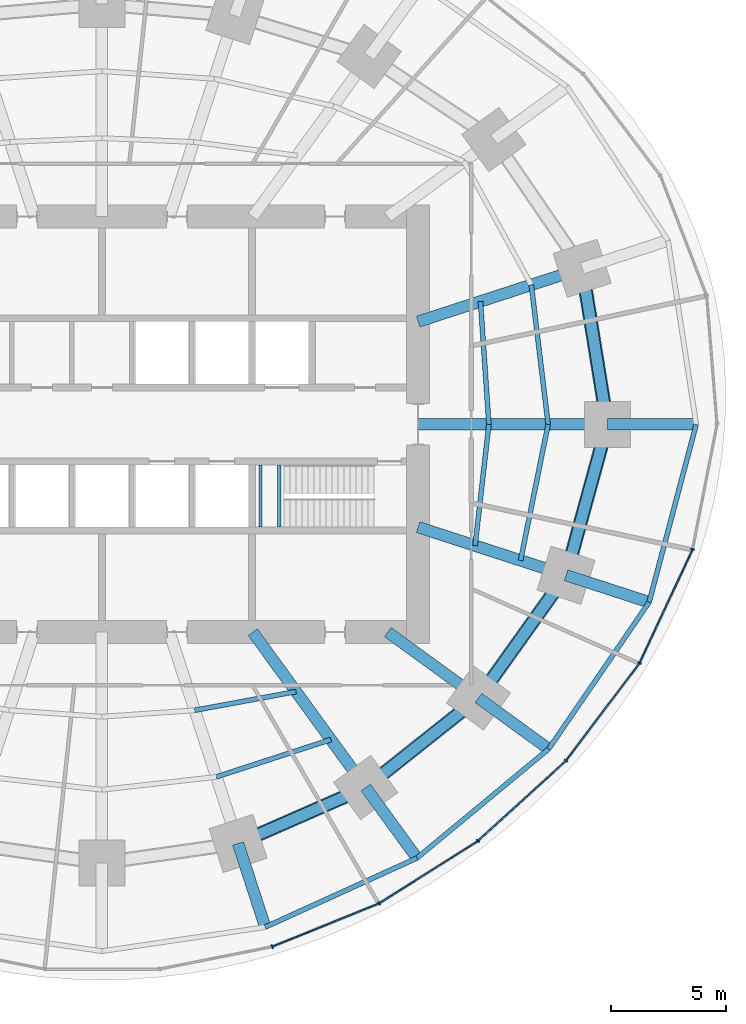
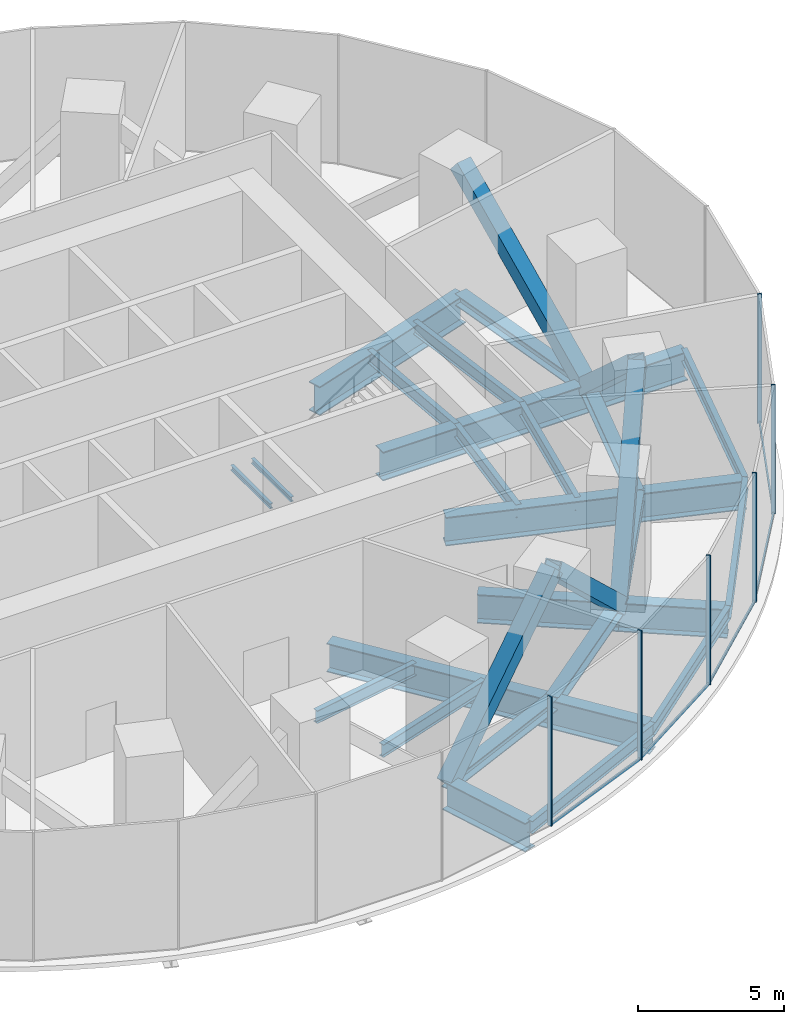
# One storey, part 5 of 13: 22 beams, 21 members, 2 elements without a shape of their own.
"""IFC4 building model written with IfcOpenShell, lengths in metres."""

from ifc_helpers import new_model, si_unit, direction, frame, origin, origin_2d, place, context, subcontext, project, spatial, rectangle, hollow_rectangle, i_section, extrude, material, material_profile, profile_set, type_object, element, aggregate, save


model = new_model("IFC4")

# Units and contexts
model_context = context("Model", 3, precision=1e-05, world=origin(), true_north=direction((0.0, 1.0)))
body_context = subcontext(model_context, "Body", "Model", "MODEL_VIEW")
ifc_project = project(units=[si_unit("LENGTHUNIT", "METRE"), si_unit("AREAUNIT", "SQUARE_METRE"), si_unit("VOLUMEUNIT", "CUBIC_METRE"), si_unit("PLANEANGLEUNIT", "RADIAN"), si_unit("MASSUNIT", "GRAM", prefix="KILO")], contexts=[model_context])

# Site, building, storey
site_placement = place(None, origin())
site = spatial("IfcSite", under=ifc_project, at=site_placement, CompositionType="ELEMENT")
building_placement = place(site_placement, origin())
building = spatial("IfcBuilding", under=site, at=building_placement, Name="Marramba Exchange Tower", CompositionType="ELEMENT")
storey_placement = place(building_placement, frame((0.0, 0.0, 86.800048828125)))
storey = spatial("IfcBuildingStorey", under=building, at=storey_placement, Name="L20", CompositionType="ELEMENT", Elevation=86.800048828125)

# Members
ifc_material_1 = material(Name="Steel AS/NZS 3679.2 grade 300", Category="steel")
ifc_material_profile_1 = material_profile(ifc_material_1, i_section(OverallWidth=0.5, OverallDepth=0.47998046875, WebThickness=0.0400390625, FlangeThickness=0.0400390625, at=origin_2d()), Name="500WC440")
ifc_profile_set_1 = profile_set([ifc_material_profile_1], Name="Steel AS/NZS 3679.2 grade 300")
member_type_1 = type_object("IfcMemberType", Name="Belt truss chord 500WC440", PredefinedType="CHORD", material=ifc_profile_set_1)
member_1_placement = place(storey_placement, frame((21.89990234375, 0.0, -0.43994140625), z_axis=(-0.159384865399, 0.987216523708, 0.0), x_axis=(-0.987216523708, -0.159384865399, 0.0)))
element("IfcMember", 1, at=member_1_placement, inside=storey, type_object=member_type_1, Name="Belt chord L20 TC01-TC02", PredefinedType="CHORD", context=body_context, shape_type="SweptSolid", body=[
    extrude(i_section(OverallWidth=0.5, OverallDepth=0.47998046875, WebThickness=0.0400390625, FlangeThickness=0.0400390625, at=origin_2d()), origin(), (0.0, 0.0, 1.0), 6.8486328125),
])
member_2_placement = place(storey_placement, frame((5.899658203125, -18.156982421875, -0.43994140625), z_axis=(0.915876892158, 0.4014592363, 0.0), x_axis=(-0.4014592363, 0.915876892158, 0.0)))
element("IfcMember", 2, at=member_2_placement, inside=storey, type_object=member_type_1, Name="Belt chord L20 TC17-TC18", PredefinedType="CHORD", context=body_context, shape_type="SweptSolid", body=[
    extrude(i_section(OverallWidth=0.5, OverallDepth=0.47998046875, WebThickness=0.0400390625, FlangeThickness=0.0400390625, at=origin_2d()), origin(), (0.0, 0.0, 1.0), 6.038818359375),
])
member_3_placement = place(storey_placement, frame((11.430419921875, -15.732666015625, -0.43994140625), z_axis=(0.783139438128, 0.621846138887, 0.0), x_axis=(-0.621846138887, 0.783139438128, 0.0)))
element("IfcMember", 3, at=member_3_placement, inside=storey, type_object=member_type_1, Name="Belt chord L20 TC18-TC19", PredefinedType="CHORD", context=body_context, shape_type="SweptSolid", body=[
    extrude(i_section(OverallWidth=0.5, OverallDepth=0.47998046875, WebThickness=0.0400390625, FlangeThickness=0.0400390625, at=origin_2d()), origin(), (0.0, 0.0, 1.0), 6.23779296875),
])
member_4_placement = place(storey_placement, frame((16.3154296875, -11.853759765625, -0.43994140625), z_axis=(0.580637181111, 0.814162430914, 0.0), x_axis=(-0.814162430914, 0.580637181111, 0.0)))
element("IfcMember", 4, at=member_4_placement, inside=storey, type_object=member_type_1, Name="Belt chord L20 TC19-TC20", PredefinedType="CHORD", context=body_context, shape_type="SweptSolid", body=[
    extrude(i_section(OverallWidth=0.5, OverallDepth=0.47998046875, WebThickness=0.0400390625, FlangeThickness=0.0400390625, at=origin_2d()), origin(), (0.0, 0.0, 1.0), 6.5341796875),
])
member_5_placement = place(storey_placement, frame((20.109375, -6.533935546875, -0.43994140625), z_axis=(0.264291166956, 0.964442937176, 0.0), x_axis=(-0.964442937176, 0.264291166956, 0.0)))
element("IfcMember", 5, at=member_5_placement, inside=storey, type_object=member_type_1, Name="Belt chord L20 TC20-TC01", PredefinedType="CHORD", context=body_context, shape_type="SweptSolid", body=[
    extrude(i_section(OverallWidth=0.5, OverallDepth=0.47998046875, WebThickness=0.0400390625, FlangeThickness=0.0400390625, at=origin_2d()), origin(), (0.0, 0.0, 1.0), 6.77490234375),
])
ifc_material_2 = material(Name="Steel AS/NZS 3678 grade 350", Category="steel")
ifc_material_profile_2 = material_profile(ifc_material_2, hollow_rectangle(XDim=0.60009765625, YDim=0.60009765625, WallThickness=0.0400390625, at=origin_2d()), Name="600x600x40BOX")
ifc_profile_set_2 = profile_set([ifc_material_profile_2], Name="Steel AS/NZS 3678 grade 350")
member_type_2 = type_object("IfcMemberType", Name="Belt truss diagonal 600x600x40BOX", PredefinedType="BRACE", material=ifc_profile_set_2)
member_6_placement = place(storey_placement, frame((21.89990234375, 0.0, -0.43994140625), z_axis=(-0.12338791563, 0.764254427988, 0.633001257168), x_axis=(-0.987216523708, -0.159384865399, 0.0)))
element("IfcMember", 6, at=member_6_placement, inside=storey, type_object=member_type_2, Name="Belt truss BT20 diagonal 01", PredefinedType="BRACE", context=body_context, shape_type="SweptSolid", body=[
    extrude(hollow_rectangle(XDim=0.60009765625, YDim=0.60009765625, WallThickness=0.0400390625, at=origin_2d()), origin(), (0.0, 0.0, 1.0), 8.846435546875),
])
member_7_placement = place(storey_placement, frame((5.899658203125, -18.156982421875, -0.43994140625), z_axis=(0.67156810861, 0.294370588792, 0.679957522168), x_axis=(-0.4014592363, 0.915876892158, 0.0)))
element("IfcMember", 7, at=member_7_placement, inside=storey, type_object=member_type_2, Name="Belt truss BT20 diagonal 17", PredefinedType="BRACE", context=body_context, shape_type="SweptSolid", body=[
    extrude(hollow_rectangle(XDim=0.60009765625, YDim=0.60009765625, WallThickness=0.0400390625, at=origin_2d()), origin(), (0.0, 0.0, 1.0), 8.235595703125),
])
member_8_placement = place(storey_placement, frame((11.430419921875, -15.732666015625, 5.159912109375), z_axis=(0.582757533009, 0.462734353763, -0.668034861043), x_axis=(-0.621846138887, 0.783139438128, 0.0)))
element("IfcMember", 8, at=member_8_placement, inside=storey, type_object=member_type_2, Name="Belt truss BT20 diagonal 18", PredefinedType="BRACE", context=body_context, shape_type="SweptSolid", body=[
    extrude(hollow_rectangle(XDim=0.60009765625, YDim=0.60009765625, WallThickness=0.0400390625, at=origin_2d()), origin(), (0.0, 0.0, 1.0), 8.382568359375),
])
member_9_placement = place(storey_placement, frame((16.3154296875, -11.853759765625, -0.43994140625), z_axis=(0.440879597365, 0.618196037746, 0.650737150885), x_axis=(-0.814162430914, 0.580637181111, 0.0)))
element("IfcMember", 9, at=member_9_placement, inside=storey, type_object=member_type_2, Name="Belt truss BT20 diagonal 19", PredefinedType="BRACE", context=body_context, shape_type="SweptSolid", body=[
    extrude(hollow_rectangle(XDim=0.60009765625, YDim=0.60009765625, WallThickness=0.0400390625, at=origin_2d()), origin(), (0.0, 0.0, 1.0), 8.60546875),
])
member_10_placement = place(storey_placement, frame((20.109375, -6.533935546875, 5.159912109375), z_axis=(0.203710300646, 0.743373162828, -0.637101604297), x_axis=(-0.964442937176, 0.264291166956, 0.0)))
element("IfcMember", 10, at=member_10_placement, inside=storey, type_object=member_type_2, Name="Belt truss BT20 diagonal 20", PredefinedType="BRACE", context=body_context, shape_type="SweptSolid", body=[
    extrude(hollow_rectangle(XDim=0.60009765625, YDim=0.60009765625, WallThickness=0.0400390625, at=origin_2d()), origin(), (0.0, 0.0, 1.0), 8.78955078125),
])

# Beams
ifc_material_profile_3 = material_profile(ifc_material_1, i_section(OverallWidth=0.5, OverallDepth=1.199951171875, WebThickness=0.01611328125, FlangeThickness=0.0400390625, at=origin_2d()), Name="1200WB455")
ifc_profile_set_3 = profile_set([ifc_material_profile_3], Name="Steel AS/NZS 3679.2 grade 300")
beam_type_1 = type_object("IfcBeamType", Name="Cantilever girder 1200WB455", PredefinedType="BEAM", material=ifc_profile_set_3)
beam_1_placement = place(storey_placement, frame((21.89990234375, 0.0, -0.800048828125), z_axis=(1.0, 0.0, 0.0), x_axis=(0.0, 1.0, 0.0)))
element("IfcBeam", 11, at=beam_1_placement, inside=storey, type_object=beam_type_1, Name="Cantilever girder L20 TC01", PredefinedType="BEAM", context=body_context, shape_type="SweptSolid", body=[
    extrude(i_section(OverallWidth=0.5, OverallDepth=1.199951171875, WebThickness=0.01611328125, FlangeThickness=0.0400390625, at=origin_2d()), origin(), (0.0, 0.0, 1.0), 3.85009765625),
])
beam_2_placement = place(storey_placement, frame((5.899658203125, -18.156982421875, -0.800048828125), z_axis=(0.309009272901, -0.951059025119, 0.0), x_axis=(0.951059025119, 0.309009272901, 0.0)))
element("IfcBeam", 12, at=beam_2_placement, inside=storey, type_object=beam_type_1, Name="Cantilever girder L20 TC17", PredefinedType="BEAM", context=body_context, shape_type="SweptSolid", body=[
    extrude(i_section(OverallWidth=0.5, OverallDepth=1.199951171875, WebThickness=0.01611328125, FlangeThickness=0.0400390625, at=origin_2d()), origin(), (0.0, 0.0, 1.0), 3.809814453125),
])
beam_3_placement = place(storey_placement, frame((11.430419921875, -15.732666015625, -0.800048828125), z_axis=(0.587787232741, -0.809015555491, 0.0), x_axis=(0.809015555491, 0.587787232741, 0.0)))
element("IfcBeam", 13, at=beam_3_placement, inside=storey, type_object=beam_type_1, Name="Cantilever girder L20 TC18", PredefinedType="BEAM", context=body_context, shape_type="SweptSolid", body=[
    extrude(i_section(OverallWidth=0.5, OverallDepth=1.199951171875, WebThickness=0.01611328125, FlangeThickness=0.0400390625, at=origin_2d()), origin(), (0.0, 0.0, 1.0), 3.7763671875),
])
beam_4_placement = place(storey_placement, frame((16.3154296875, -11.853759765625, -0.800048828125), z_axis=(0.809008346081, -0.587797155463, 0.0), x_axis=(0.587797155463, 0.809008346081, 0.0)))
element("IfcBeam", 14, at=beam_4_placement, inside=storey, type_object=beam_type_1, Name="Cantilever girder L20 TC19", PredefinedType="BEAM", context=body_context, shape_type="SweptSolid", body=[
    extrude(i_section(OverallWidth=0.5, OverallDepth=1.199951171875, WebThickness=0.01611328125, FlangeThickness=0.0400390625, at=origin_2d()), origin(), (0.0, 0.0, 1.0), 3.76025390625),
])
beam_5_placement = place(storey_placement, frame((20.109375, -6.533935546875, -0.800048828125), z_axis=(0.951048759501, -0.309040866314, 0.0), x_axis=(0.309040866314, 0.951048759501, 0.0)))
element("IfcBeam", 15, at=beam_5_placement, inside=storey, type_object=beam_type_1, Name="Cantilever girder L20 TC20", PredefinedType="BEAM", context=body_context, shape_type="SweptSolid", body=[
    extrude(i_section(OverallWidth=0.5, OverallDepth=1.199951171875, WebThickness=0.01611328125, FlangeThickness=0.0400390625, at=origin_2d()), origin(), (0.0, 0.0, 1.0), 3.78564453125),
])
ifc_material_3 = material(Name="Steel AS/NZS 3679.1 grade 300", Category="steel")
ifc_material_profile_4 = material_profile(ifc_material_3, i_section(OverallWidth=0.208984375, OverallDepth=0.532958984375, WebThickness=0.01025390625, FlangeThickness=0.015625, FilletRadius=0.013916015625, at=origin_2d()), Name="530UB92.4")
ifc_profile_set_4 = profile_set([ifc_material_profile_4], Name="Steel AS/NZS 3679.1 grade 300")
beam_type_2 = type_object("IfcBeamType", Name="Floor joist 530UB92.4", PredefinedType="JOIST", material=ifc_profile_set_4)
beam_6_placement = place(storey_placement, frame((16.7666015625, 0.0, -0.466552734375), z_axis=(-0.068096259546, 0.99767875563, 0.0), x_axis=(-0.99767875563, -0.068096259546, 0.0)))
element("IfcBeam", 16, at=beam_6_placement, inside=storey, type_object=beam_type_2, Name="Joist L20 bay 01 row 1", PredefinedType="JOIST", context=body_context, shape_type="SweptSolid", body=[
    extrude(i_section(OverallWidth=0.208984375, OverallDepth=0.532958984375, WebThickness=0.01025390625, FlangeThickness=0.015625, FilletRadius=0.013916015625, at=origin_2d()), origin(), (0.0, 0.0, 1.0), 5.342041015625),
])
beam_7_placement = place(storey_placement, frame((19.333251953125, 0.0, -0.466552734375), z_axis=(-0.119523078538, 0.992831422597, 0.0), x_axis=(-0.992831422597, -0.119523078538, 0.0)))
element("IfcBeam", 17, at=beam_7_placement, inside=storey, type_object=beam_type_2, Name="Joist L20 bay 01 row 2", PredefinedType="JOIST", context=body_context, shape_type="SweptSolid", body=[
    extrude(i_section(OverallWidth=0.208984375, OverallDepth=0.532958984375, WebThickness=0.01025390625, FlangeThickness=0.015625, FilletRadius=0.013916015625, at=origin_2d()), origin(), (0.0, 0.0, 1.0), 6.089111328125),
])
beam_8_placement = place(storey_placement, frame((4.0244140625, -12.3857421875, -0.466552734375), z_axis=(0.983455754421, 0.181148500119, 0.0), x_axis=(-0.181148500119, 0.983455754421, 0.0)))
element("IfcBeam", 18, at=beam_8_placement, inside=storey, type_object=beam_type_2, Name="Joist L20 bay 17 row 1", PredefinedType="JOIST", context=body_context, shape_type="SweptSolid", body=[
    extrude(i_section(OverallWidth=0.208984375, OverallDepth=0.532958984375, WebThickness=0.01025390625, FlangeThickness=0.015625, FilletRadius=0.013916015625, at=origin_2d()), origin(), (0.0, 0.0, 1.0), 4.4609375),
])
beam_9_placement = place(storey_placement, frame((4.9619140625, -15.271484375, -0.466552734375), z_axis=(0.950764024931, 0.309915744834, 0.0), x_axis=(-0.309915744834, 0.950764024931, 0.0)))
element("IfcBeam", 19, at=beam_9_placement, inside=storey, type_object=beam_type_2, Name="Joist L20 bay 17 row 2", PredefinedType="JOIST", context=body_context, shape_type="SweptSolid", body=[
    extrude(i_section(OverallWidth=0.208984375, OverallDepth=0.532958984375, WebThickness=0.01025390625, FlangeThickness=0.015625, FilletRadius=0.013916015625, at=origin_2d()), origin(), (0.0, 0.0, 1.0), 5.2158203125),
])
beam_10_placement = place(storey_placement, frame((16.169677734375, -5.25390625, -0.466552734375), z_axis=(0.112888968594, 0.993607609054, 0.0), x_axis=(-0.993607609054, 0.112888968594, 0.0)))
element("IfcBeam", 20, at=beam_10_placement, inside=storey, type_object=beam_type_2, Name="Joist L20 bay 20 row 1", PredefinedType="JOIST", context=body_context, shape_type="SweptSolid", body=[
    extrude(i_section(OverallWidth=0.208984375, OverallDepth=0.532958984375, WebThickness=0.01025390625, FlangeThickness=0.015625, FilletRadius=0.013916015625, at=origin_2d()), origin(), (0.0, 0.0, 1.0), 5.28759765625),
])
beam_11_placement = place(storey_placement, frame((18.1396484375, -5.893798828125, -0.466552734375), z_axis=(0.198489047047, 0.980103105904, 0.0), x_axis=(-0.980103105904, 0.198489047047, 0.0)))
element("IfcBeam", 21, at=beam_11_placement, inside=storey, type_object=beam_type_2, Name="Joist L20 bay 20 row 2", PredefinedType="JOIST", context=body_context, shape_type="SweptSolid", body=[
    extrude(i_section(OverallWidth=0.208984375, OverallDepth=0.532958984375, WebThickness=0.01025390625, FlangeThickness=0.015625, FilletRadius=0.013916015625, at=origin_2d()), origin(), (0.0, 0.0, 1.0), 6.013427734375),
])

# Curtain wall, member
ifc_material_4 = material(Name="Aluminium framing, bronze anodised", Category="aluminium")
curtain_wall_type = type_object("IfcCurtainWallType", Name="Plant floor louvred curtain wall", PredefinedType="USERDEFINED", material=ifc_material_4)
curtain_wall_1_placement = place(storey_placement, origin())
curtain_wall_1 = element("IfcCurtainWall", 22, at=curtain_wall_1_placement, inside=storey, type_object=curtain_wall_type, Name="Curtain wall CW6 L20 F21-F25", ObjectType="RIBBON CURTAIN WALL", PredefinedType="USERDEFINED")
ifc_material_5 = material(Name="Aluminium mullion, bronze anodised", Category="aluminium")
ifc_material_profile_5 = material_profile(ifc_material_5, rectangle(XDim=0.159912109375, YDim=0.06005859375, at=origin_2d()), Name="CW6 mullion 60x160")
ifc_profile_set_5 = profile_set([ifc_material_profile_5], Name="Aluminium mullion, bronze anodised")
member_type_3 = type_object("IfcMemberType", Name="Plant floor louvred curtain wall mullion", PredefinedType="MULLION", material=ifc_profile_set_5)
member_11_placement = place(storey_placement, frame((7.3828125, -22.625, 0.0), z_axis=(0.0, 0.0, 1.0), x_axis=(-0.374218219325, 0.927340673283, 0.0)))
member_11 = element("IfcMember", 23, at=member_11_placement, type_object=member_type_3, Name="CW6 mullion 1", PredefinedType="MULLION", context=body_context, shape_type="SweptSolid", body=[
    extrude(rectangle(XDim=0.159912109375, YDim=0.06005859375, at=origin_2d()), origin(), (0.0, 0.0, 1.0), 5.39990234375),
])

# Curtain wall, members
curtain_wall_2_placement = place(storey_placement, origin())
curtain_wall_2 = element("IfcCurtainWall", 24, at=curtain_wall_2_placement, inside=storey, type_object=curtain_wall_type, Name="Curtain wall CW6 L20 F26-F30", ObjectType="RIBBON CURTAIN WALL", PredefinedType="USERDEFINED")
member_12_placement = place(storey_placement, frame((12.0146484375, -20.75, 0.0), z_axis=(0.0, 0.0, 1.0), x_axis=(-0.533514646612, 0.845790826298, 0.0)))
member_12 = element("IfcMember", 25, at=member_12_placement, type_object=member_type_3, Name="CW6 mullion 1", PredefinedType="MULLION", context=body_context, shape_type="SweptSolid", body=[
    extrude(rectangle(XDim=0.159912109375, YDim=0.06005859375, at=origin_2d()), origin(), (0.0, 0.0, 1.0), 5.39990234375),
])
member_13_placement = place(storey_placement, frame((16.2900390625, -18.047119140625, 0.0), z_axis=(0.0, 0.0, 1.0), x_axis=(-0.673058133441, 0.739589581463, 0.0)))
member_13 = element("IfcMember", 26, at=member_13_placement, type_object=member_type_3, Name="CW6 mullion 1", PredefinedType="MULLION", context=body_context, shape_type="SweptSolid", body=[
    extrude(rectangle(XDim=0.159912109375, YDim=0.06005859375, at=origin_2d()), origin(), (0.0, 0.0, 1.0), 5.39990234375),
])
member_14_placement = place(storey_placement, frame((20.103515625, -14.569091796875, 0.0), z_axis=(0.0, 0.0, 1.0), x_axis=(-0.797710591138, 0.603040473588, 0.0)))
member_14 = element("IfcMember", 27, at=member_14_placement, type_object=member_type_3, Name="CW6 mullion 1", PredefinedType="MULLION", context=body_context, shape_type="SweptSolid", body=[
    extrude(rectangle(XDim=0.159912109375, YDim=0.06005859375, at=origin_2d()), origin(), (0.0, 0.0, 1.0), 5.39990234375),
])
member_15_placement = place(storey_placement, frame((23.2939453125, -10.33837890625, 0.0), z_axis=(0.0, 0.0, 1.0), x_axis=(-0.905906758768, 0.423477206492, 0.0)))
member_15 = element("IfcMember", 28, at=member_15_placement, type_object=member_type_3, Name="CW6 mullion 1", PredefinedType="MULLION", context=body_context, shape_type="SweptSolid", body=[
    extrude(rectangle(XDim=0.159912109375, YDim=0.06005859375, at=origin_2d()), origin(), (0.0, 0.0, 1.0), 5.39990234375),
])
member_16_placement = place(storey_placement, frame((25.59033203125, -5.40869140625, 0.0), z_axis=(0.0, 0.0, 1.0), x_axis=(-0.981346261612, 0.1922485756, 0.0)))
member_16 = element("IfcMember", 29, at=member_16_placement, type_object=member_type_3, Name="CW6 mullion 1", PredefinedType="MULLION", context=body_context, shape_type="SweptSolid", body=[
    extrude(rectangle(XDim=0.159912109375, YDim=0.06005859375, at=origin_2d()), origin(), (0.0, 0.0, 1.0), 5.39990234375),
])

# Member
ifc_material_6 = material(Name="Aluminium transom, bronze anodised", Category="aluminium")
ifc_material_profile_6 = material_profile(ifc_material_6, rectangle(XDim=0.06005859375, YDim=0.1201171875, at=origin_2d()), Name="CW6 transom 60x120")
ifc_profile_set_6 = profile_set([ifc_material_profile_6], Name="Aluminium transom, bronze anodised")
member_type_4 = type_object("IfcMemberType", Name="Plant floor louvred curtain wall transom", PredefinedType="USERDEFINED", material=ifc_profile_set_6)
member_17_placement = place(storey_placement, frame((7.41064453125, -22.61376953125, 0.030029296875), z_axis=(0.927340197166, 0.374219399176, 0.0), x_axis=(-0.374219399176, 0.927340197166, 0.0)))
member_17 = element("IfcMember", 30, at=member_17_placement, type_object=member_type_4, Name="CW6 sill transom", ObjectType="TRANSOM", PredefinedType="USERDEFINED", context=body_context, shape_type="SweptSolid", body=[
    extrude(rectangle(XDim=0.06005859375, YDim=0.1201171875, at=origin_2d()), origin(), (0.0, 0.0, 1.0), 4.937255859375),
])

aggregate(curtain_wall_1, [member_11, member_17])

member_18_placement = place(storey_placement, frame((12.0400390625, -20.734130859375, 0.030029296875), z_axis=(0.845776602594, 0.533537195053, 0.0), x_axis=(-0.533537195053, 0.845776602594, 0.0)))
member_18 = element("IfcMember", 31, at=member_18_placement, type_object=member_type_4, Name="CW6 sill transom", ObjectType="TRANSOM", PredefinedType="USERDEFINED", context=body_context, shape_type="SweptSolid", body=[
    extrude(rectangle(XDim=0.06005859375, YDim=0.1201171875, at=origin_2d()), origin(), (0.0, 0.0, 1.0), 4.998779296875),
])

member_19_placement = place(storey_placement, frame((16.312255859375, -18.02685546875, 0.030029296875), z_axis=(0.739582688456, 0.673065707741, 0.0), x_axis=(-0.673065707741, 0.739582688456, 0.0)))
member_19 = element("IfcMember", 32, at=member_19_placement, type_object=member_type_4, Name="CW6 sill transom", ObjectType="TRANSOM", PredefinedType="USERDEFINED", context=body_context, shape_type="SweptSolid", body=[
    extrude(rectangle(XDim=0.06005859375, YDim=0.1201171875, at=origin_2d()), origin(), (0.0, 0.0, 1.0), 5.101806640625),
])

member_20_placement = place(storey_placement, frame((20.12158203125, -14.545166015625, 0.030029296875), z_axis=(0.603037409419, 0.797712907531, 0.0), x_axis=(-0.797712907531, 0.603037409419, 0.0)))
member_20 = element("IfcMember", 33, at=member_20_placement, type_object=member_type_4, Name="CW6 sill transom", ObjectType="TRANSOM", PredefinedType="USERDEFINED", context=body_context, shape_type="SweptSolid", body=[
    extrude(rectangle(XDim=0.06005859375, YDim=0.1201171875, at=origin_2d()), origin(), (0.0, 0.0, 1.0), 5.239501953125),
])

member_21_placement = place(storey_placement, frame((23.306640625, -10.31103515625, 0.030029296875), z_axis=(0.423511514213, 0.905890720412, 0.0), x_axis=(-0.905890720412, 0.423511514213, 0.0)))
member_21 = element("IfcMember", 34, at=member_21_placement, type_object=member_type_4, Name="CW6 sill transom", ObjectType="TRANSOM", PredefinedType="USERDEFINED", context=body_context, shape_type="SweptSolid", body=[
    extrude(rectangle(XDim=0.06005859375, YDim=0.1201171875, at=origin_2d()), origin(), (0.0, 0.0, 1.0), 5.37890625),
])

aggregate(curtain_wall_2, [member_12, member_18, member_13, member_19, member_14, member_20, member_15, member_21, member_16])

# Beams
ifc_material_profile_7 = material_profile(ifc_material_1, i_section(OverallWidth=0.5, OverallDepth=1.199951171875, WebThickness=0.01611328125, FlangeThickness=0.0400390625, at=origin_2d()), Name="1200WB455")
ifc_profile_set_7 = profile_set([ifc_material_profile_7], Name="Steel AS/NZS 3679.2 grade 300")
beam_type_3 = type_object("IfcBeamType", Name="Radial girder 1200WB455", PredefinedType="BEAM", material=ifc_profile_set_7)
beam_12_placement = place(storey_placement, frame((13.699951171875, 0.0, -0.800048828125), z_axis=(1.0, 0.0, 0.0), x_axis=(0.0, 1.0, 0.0)))
element("IfcBeam", 35, at=beam_12_placement, inside=storey, type_object=beam_type_3, Name="Radial girder L20 TC01", PredefinedType="BEAM", context=body_context, shape_type="SweptSolid", body=[
    extrude(i_section(OverallWidth=0.5, OverallDepth=1.199951171875, WebThickness=0.01611328125, FlangeThickness=0.0400390625, at=origin_2d()), origin(), (0.0, 0.0, 1.0), 8.199951171875),
])
beam_13_placement = place(storey_placement, frame((13.699951171875, 4.451416015625, -0.800048828125), z_axis=(0.951059990189, 0.309006302624, 0.0), x_axis=(-0.309006302624, 0.951059990189, 0.0)))
element("IfcBeam", 36, at=beam_13_placement, inside=storey, type_object=beam_type_3, Name="Radial girder L20 TC02", PredefinedType="BEAM", context=body_context, shape_type="SweptSolid", body=[
    extrude(i_section(OverallWidth=0.5, OverallDepth=1.199951171875, WebThickness=0.01611328125, FlangeThickness=0.0400390625, at=origin_2d()), origin(), (0.0, 0.0, 1.0), 7.47412109375),
])
beam_14_placement = place(storey_placement, frame((6.538818359375, -9.0, -0.800048828125), z_axis=(0.587787877172, -0.809015087282, 0.0), x_axis=(0.809015087282, 0.587787877172, 0.0)))
element("IfcBeam", 37, at=beam_14_placement, inside=storey, type_object=beam_type_3, Name="Radial girder L20 TC18", PredefinedType="BEAM", context=body_context, shape_type="SweptSolid", body=[
    extrude(i_section(OverallWidth=0.5, OverallDepth=1.199951171875, WebThickness=0.01611328125, FlangeThickness=0.0400390625, at=origin_2d()), origin(), (0.0, 0.0, 1.0), 8.322021484375),
])
beam_15_placement = place(storey_placement, frame((12.387451171875, -9.0, -0.800048828125), z_axis=(0.809025189606, -0.58777397236, 0.0), x_axis=(0.58777397236, 0.809025189606, 0.0)))
element("IfcBeam", 38, at=beam_15_placement, inside=storey, type_object=beam_type_3, Name="Radial girder L20 TC19", PredefinedType="BEAM", context=body_context, shape_type="SweptSolid", body=[
    extrude(i_section(OverallWidth=0.5, OverallDepth=1.199951171875, WebThickness=0.01611328125, FlangeThickness=0.0400390625, at=origin_2d()), origin(), (0.0, 0.0, 1.0), 4.855224609375),
])
beam_16_placement = place(storey_placement, frame((13.699951171875, -4.451416015625, -0.800048828125), z_axis=(0.951057759669, -0.309013167637, 0.0), x_axis=(0.309013167637, 0.951057759669, 0.0)))
element("IfcBeam", 39, at=beam_16_placement, inside=storey, type_object=beam_type_3, Name="Radial girder L20 TC20", PredefinedType="BEAM", context=body_context, shape_type="SweptSolid", body=[
    extrude(i_section(OverallWidth=0.5, OverallDepth=1.199951171875, WebThickness=0.01611328125, FlangeThickness=0.0400390625, at=origin_2d()), origin(), (0.0, 0.0, 1.0), 6.7392578125),
])
ifc_material_profile_8 = material_profile(ifc_material_3, i_section(OverallWidth=0.208984375, OverallDepth=0.528076171875, WebThickness=0.009521484375, FlangeThickness=0.01318359375, FilletRadius=0.013916015625, at=origin_2d()), Name="530UB82.0")
ifc_profile_set_8 = profile_set([ifc_material_profile_8], Name="Steel AS/NZS 3679.1 grade 300")
beam_type_4 = type_object("IfcBeamType", Name="Slab edge beam 530UB82.0", PredefinedType="SPANDREL", material=ifc_profile_set_8)
beam_17_placement = place(storey_placement, frame((7.076904296875, -21.7802734375, -0.464111328125), z_axis=(0.910126690081, 0.414330071324, 0.0), x_axis=(-0.414330071324, 0.910126690081, 0.0)))
element("IfcBeam", 40, at=beam_17_placement, inside=storey, type_object=beam_type_4, Name="Slab edge beam L20 TC17-TC18", PredefinedType="SPANDREL", context=body_context, shape_type="SweptSolid", body=[
    extrude(i_section(OverallWidth=0.208984375, OverallDepth=0.528076171875, WebThickness=0.009521484375, FlangeThickness=0.01318359375, FilletRadius=0.013916015625, at=origin_2d()), origin(), (0.0, 0.0, 1.0), 7.222412109375),
])
beam_18_placement = place(storey_placement, frame((13.650146484375, -18.787841796875, -0.464111328125), z_axis=(0.770353575372, 0.637616945283, 0.0), x_axis=(-0.637616945283, 0.770353575372, 0.0)))
element("IfcBeam", 41, at=beam_18_placement, inside=storey, type_object=beam_type_4, Name="Slab edge beam L20 TC18-TC19", PredefinedType="SPANDREL", context=body_context, shape_type="SweptSolid", body=[
    extrude(i_section(OverallWidth=0.208984375, OverallDepth=0.528076171875, WebThickness=0.009521484375, FlangeThickness=0.01318359375, FilletRadius=0.013916015625, at=origin_2d()), origin(), (0.0, 0.0, 1.0), 7.40869140625),
])
beam_19_placement = place(storey_placement, frame((19.357421875, -14.06396484375, -0.464111328125), z_axis=(0.564740697285, 0.82526840775, 0.0), x_axis=(-0.82526840775, 0.564740697285, 0.0)))
element("IfcBeam", 42, at=beam_19_placement, inside=storey, type_object=beam_type_4, Name="Slab edge beam L20 TC19-TC20", PredefinedType="SPANDREL", context=body_context, shape_type="SweptSolid", body=[
    extrude(i_section(OverallWidth=0.208984375, OverallDepth=0.528076171875, WebThickness=0.009521484375, FlangeThickness=0.01318359375, FilletRadius=0.013916015625, at=origin_2d()), origin(), (0.0, 0.0, 1.0), 7.706787109375),
])
beam_20_placement = place(storey_placement, frame((23.709716796875, -7.703857421875, -0.464111328125), z_axis=(0.25601296674, 0.966673347549, 0.0), x_axis=(-0.966673347549, 0.25601296674, 0.0)))
element("IfcBeam", 43, at=beam_20_placement, inside=storey, type_object=beam_type_4, Name="Slab edge beam L20 TC20-TC01", PredefinedType="SPANDREL", context=body_context, shape_type="SweptSolid", body=[
    extrude(i_section(OverallWidth=0.208984375, OverallDepth=0.528076171875, WebThickness=0.009521484375, FlangeThickness=0.01318359375, FilletRadius=0.013916015625, at=origin_2d()), origin(), (0.0, 0.0, 1.0), 7.969482421875),
])
ifc_material_profile_9 = material_profile(ifc_material_3, i_section(OverallWidth=0.133056640625, OverallDepth=0.202880859375, WebThickness=0.005859375, FlangeThickness=0.0078125, FilletRadius=0.0087890625, at=origin_2d()), Name="200UB25.4")
ifc_profile_set_9 = profile_set([ifc_material_profile_9], Name="Steel AS/NZS 3679.1 grade 300")
beam_type_5 = type_object("IfcBeamType", Name="Stair landing beam 200UB25.4", PredefinedType="BEAM", material=ifc_profile_set_9)
for number, where, z_axis, x_axis, name in (
    (44, (6.866455078125, -4.449951171875, 2.49853515625), (0.0, 1.0, 0.0), (-1.0, 0.0, 0.0), "Stair landing beam SLB1 ST2 L20 1"),
    (45, (7.68359375, -4.449951171875, 2.49853515625), (0.0, 1.0, 0.0), (-1.0, 0.0, 0.0), "Stair landing beam SLB1 ST2 L20 2"),
):
    element("IfcBeam", number, at=place(storey_placement, frame(where, z_axis=z_axis, x_axis=x_axis)), inside=storey, type_object=beam_type_5, Name=name, PredefinedType="BEAM", context=body_context, shape_type="SweptSolid", body=[
        extrude(i_section(OverallWidth=0.133056640625, OverallDepth=0.202880859375, WebThickness=0.005859375, FlangeThickness=0.0078125, FilletRadius=0.0087890625, at=origin_2d()), origin(), (0.0, 0.0, 1.0), 2.699951171875),
    ])

save(model, "model.ifc")
